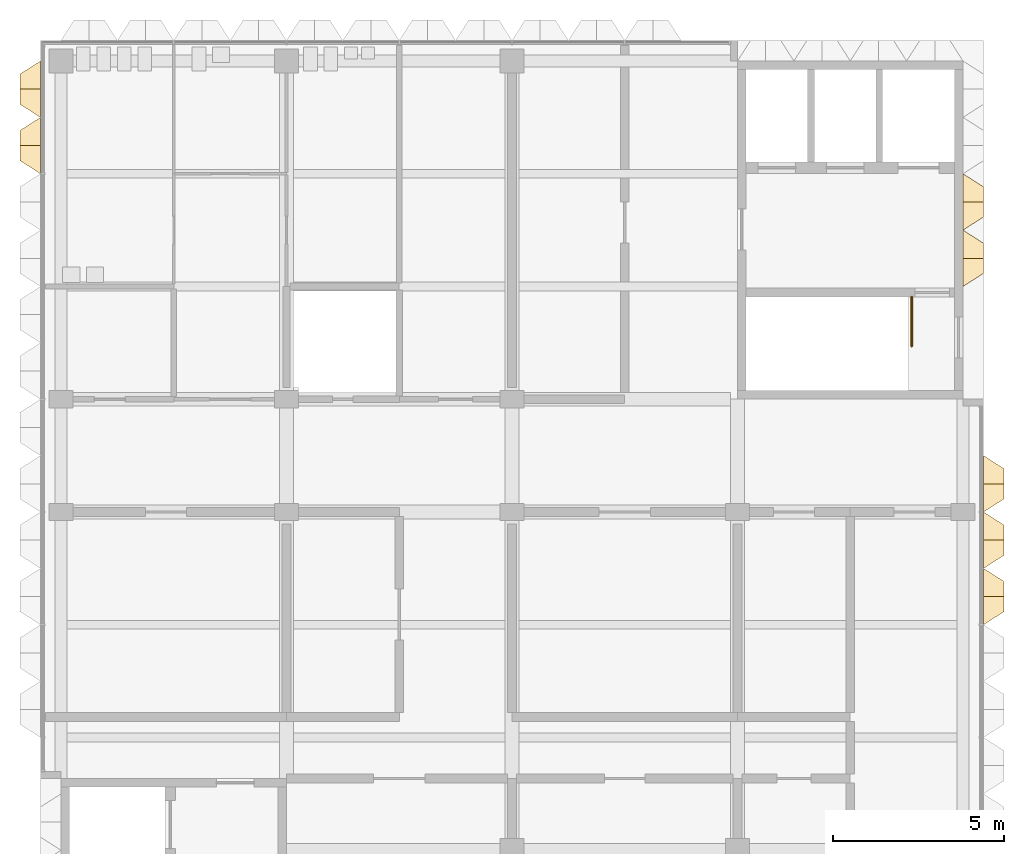
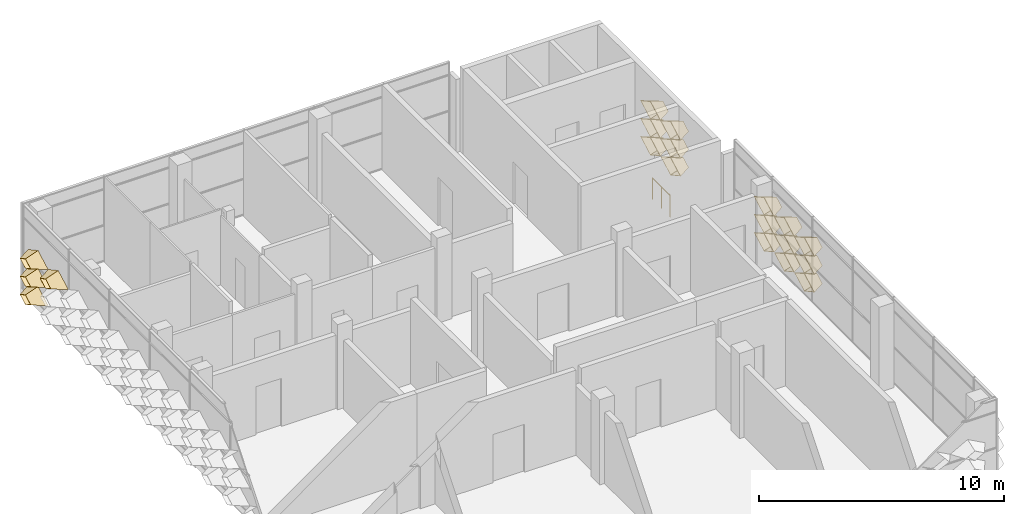
# One storey, part 17 of 21: 19 coverings, 1 railing.
"""IFC4 building model written with IfcOpenShell, lengths in metres."""

from ifc_helpers import new_model, entity, si_unit, direction, frame, origin, origin_2d, place, context, subcontext, project, spatial, circle, extrude, material, layer, layer_set, type_object, element, save


model = new_model("IFC4")

# Units and contexts
model_context = context("Model", 3, precision=1e-05, world=origin(), true_north=direction((0.0, 1.0)))
body_context = subcontext(model_context, "Body", "Model", "MODEL_VIEW")
ifc_project = project(units=[si_unit("LENGTHUNIT", "METRE"), si_unit("AREAUNIT", "SQUARE_METRE"), si_unit("VOLUMEUNIT", "CUBIC_METRE"), si_unit("PLANEANGLEUNIT", "RADIAN"), si_unit("MASSUNIT", "GRAM", prefix="KILO")], contexts=[model_context])

# Site, building, storey
site_placement = place(None, origin())
site = spatial("IfcSite", under=ifc_project, at=site_placement, CompositionType="ELEMENT")
building_placement = place(site_placement, origin())
building = spatial("IfcBuilding", under=site, at=building_placement, Name="Lantern Court Research Institute", CompositionType="ELEMENT")
storey_placement = place(building_placement, frame((0.0, 0.0, 41.39990234375)))
storey = spatial("IfcBuildingStorey", under=building, at=storey_placement, Name="L09", CompositionType="ELEMENT", Elevation=41.39990234375)

# Coverings
ifc_material_1 = material(Name="Anodised aluminium", Category="aluminium")
ifc_layer = layer(ifc_material_1, 0.01611328125)
ifc_layer_set = layer_set([ifc_layer], Name="Anodised aluminium")
covering_type = type_object("IfcCoveringType", Name="Fin cassette 1650 x 900 x 600 aluminium", PredefinedType="CLADDING", material=ifc_layer_set)
covering_1_placement = place(storey_placement, frame((79.199951171875, 17.324951171875, 0.4501953125), z_axis=(1.0, 0.0, 0.0), x_axis=(0.0, 1.0, 0.0)))
cartesian_point_1 = entity("IfcCartesianPoint", [0.824951171875, 0.0])
cartesian_point_2 = entity("IfcCartesianPoint", [0.79150390625, 0.0])
cartesian_point_3 = entity("IfcCartesianPoint", [0.44189453125, 0.0])
cartesian_point_4 = entity("IfcCartesianPoint", [0.43359375, 0.0])
element("IfcCovering", 1, at=covering_1_placement, inside=storey, type_object=covering_type, Name="Fin cassette V5E-L09 1.11", PredefinedType="CLADDING", context=body_context, shape_type="SweptSolid", body=[
    entity("IfcExtrudedAreaSolidTapered", entity("IfcArbitraryProfileDefWithVoids", "AREA", None, entity("IfcPolyline", [cartesian_point_1, entity("IfcCartesianPoint", [0.0, 0.449951171875]), entity("IfcCartesianPoint", [-0.824951171875, 0.0]), entity("IfcCartesianPoint", [0.0, -0.449951171875]), cartesian_point_1]), [entity("IfcPolyline", [cartesian_point_2, entity("IfcCartesianPoint", [0.0, 0.431884765625]), entity("IfcCartesianPoint", [-0.79150390625, 0.0]), entity("IfcCartesianPoint", [0.0, -0.431884765625]), cartesian_point_2])]), entity("IfcAxis2Placement3D", entity("IfcCartesianPoint", [0.0, 0.0, 0.0])), entity("IfcDirection", [0.0, 0.0, 1.0]), 0.60009765625, entity("IfcArbitraryProfileDefWithVoids", "AREA", None, entity("IfcPolyline", [cartesian_point_3, entity("IfcCartesianPoint", [0.0, 0.240966796875]), entity("IfcCartesianPoint", [-0.44189453125, 0.0]), entity("IfcCartesianPoint", [0.0, -0.240966796875]), cartesian_point_3]), [entity("IfcPolyline", [cartesian_point_4, entity("IfcCartesianPoint", [0.0, 0.236572265625]), entity("IfcCartesianPoint", [-0.43359375, 0.0]), entity("IfcCartesianPoint", [0.0, -0.236572265625]), cartesian_point_4])])),
])
covering_2_placement = place(storey_placement, frame((79.199951171875, 18.97509765625, 0.4501953125), z_axis=(1.0, 0.0, 0.0), x_axis=(0.0, 1.0, 0.0)))
cartesian_point_5 = entity("IfcCartesianPoint", [0.824951171875, 0.0])
cartesian_point_6 = entity("IfcCartesianPoint", [0.79150390625, 0.0])
cartesian_point_7 = entity("IfcCartesianPoint", [0.44189453125, 0.0])
cartesian_point_8 = entity("IfcCartesianPoint", [0.43359375, 0.0])
element("IfcCovering", 2, at=covering_2_placement, inside=storey, type_object=covering_type, Name="Fin cassette V5E-L09 1.12", PredefinedType="CLADDING", context=body_context, shape_type="SweptSolid", body=[
    entity("IfcExtrudedAreaSolidTapered", entity("IfcArbitraryProfileDefWithVoids", "AREA", None, entity("IfcPolyline", [cartesian_point_5, entity("IfcCartesianPoint", [0.0, 0.449951171875]), entity("IfcCartesianPoint", [-0.824951171875, 0.0]), entity("IfcCartesianPoint", [0.0, -0.449951171875]), cartesian_point_5]), [entity("IfcPolyline", [cartesian_point_6, entity("IfcCartesianPoint", [0.0, 0.431884765625]), entity("IfcCartesianPoint", [-0.79150390625, 0.0]), entity("IfcCartesianPoint", [0.0, -0.431884765625]), cartesian_point_6])]), entity("IfcAxis2Placement3D", entity("IfcCartesianPoint", [0.0, 0.0, 0.0])), entity("IfcDirection", [0.0, 0.0, 1.0]), 0.60009765625, entity("IfcArbitraryProfileDefWithVoids", "AREA", None, entity("IfcPolyline", [cartesian_point_7, entity("IfcCartesianPoint", [0.0, 0.240966796875]), entity("IfcCartesianPoint", [-0.44189453125, 0.0]), entity("IfcCartesianPoint", [0.0, -0.240966796875]), cartesian_point_7]), [entity("IfcPolyline", [cartesian_point_8, entity("IfcCartesianPoint", [0.0, 0.236572265625]), entity("IfcCartesianPoint", [-0.43359375, 0.0]), entity("IfcCartesianPoint", [0.0, -0.236572265625]), cartesian_point_8])])),
])
covering_3_placement = place(storey_placement, frame((79.199951171875, 17.324951171875, 1.35009765625), z_axis=(1.0, 0.0, 0.0), x_axis=(0.0, 1.0, 0.0)))
cartesian_point_9 = entity("IfcCartesianPoint", [0.824951171875, 0.0])
cartesian_point_10 = entity("IfcCartesianPoint", [0.79150390625, 0.0])
cartesian_point_11 = entity("IfcCartesianPoint", [0.44189453125, 0.0])
cartesian_point_12 = entity("IfcCartesianPoint", [0.43359375, 0.0])
element("IfcCovering", 3, at=covering_3_placement, inside=storey, type_object=covering_type, Name="Fin cassette V5E-L09 2.11", PredefinedType="CLADDING", context=body_context, shape_type="SweptSolid", body=[
    entity("IfcExtrudedAreaSolidTapered", entity("IfcArbitraryProfileDefWithVoids", "AREA", None, entity("IfcPolyline", [cartesian_point_9, entity("IfcCartesianPoint", [0.0, 0.449951171875]), entity("IfcCartesianPoint", [-0.824951171875, 0.0]), entity("IfcCartesianPoint", [0.0, -0.449951171875]), cartesian_point_9]), [entity("IfcPolyline", [cartesian_point_10, entity("IfcCartesianPoint", [0.0, 0.431884765625]), entity("IfcCartesianPoint", [-0.79150390625, 0.0]), entity("IfcCartesianPoint", [0.0, -0.431884765625]), cartesian_point_10])]), entity("IfcAxis2Placement3D", entity("IfcCartesianPoint", [0.0, 0.0, 0.0])), entity("IfcDirection", [0.0, 0.0, 1.0]), 0.60009765625, entity("IfcArbitraryProfileDefWithVoids", "AREA", None, entity("IfcPolyline", [cartesian_point_11, entity("IfcCartesianPoint", [0.0, 0.240966796875]), entity("IfcCartesianPoint", [-0.44189453125, 0.0]), entity("IfcCartesianPoint", [0.0, -0.240966796875]), cartesian_point_11]), [entity("IfcPolyline", [cartesian_point_12, entity("IfcCartesianPoint", [0.0, 0.236572265625]), entity("IfcCartesianPoint", [-0.43359375, 0.0]), entity("IfcCartesianPoint", [0.0, -0.236572265625]), cartesian_point_12])])),
])
covering_4_placement = place(storey_placement, frame((79.199951171875, 18.97509765625, 1.35009765625), z_axis=(1.0, 0.0, 0.0), x_axis=(0.0, 1.0, 0.0)))
cartesian_point_13 = entity("IfcCartesianPoint", [0.824951171875, 0.0])
cartesian_point_14 = entity("IfcCartesianPoint", [0.79150390625, 0.0])
cartesian_point_15 = entity("IfcCartesianPoint", [0.44189453125, 0.0])
cartesian_point_16 = entity("IfcCartesianPoint", [0.43359375, 0.0])
element("IfcCovering", 4, at=covering_4_placement, inside=storey, type_object=covering_type, Name="Fin cassette V5E-L09 2.12", PredefinedType="CLADDING", context=body_context, shape_type="SweptSolid", body=[
    entity("IfcExtrudedAreaSolidTapered", entity("IfcArbitraryProfileDefWithVoids", "AREA", None, entity("IfcPolyline", [cartesian_point_13, entity("IfcCartesianPoint", [0.0, 0.449951171875]), entity("IfcCartesianPoint", [-0.824951171875, 0.0]), entity("IfcCartesianPoint", [0.0, -0.449951171875]), cartesian_point_13]), [entity("IfcPolyline", [cartesian_point_14, entity("IfcCartesianPoint", [0.0, 0.431884765625]), entity("IfcCartesianPoint", [-0.79150390625, 0.0]), entity("IfcCartesianPoint", [0.0, -0.431884765625]), cartesian_point_14])]), entity("IfcAxis2Placement3D", entity("IfcCartesianPoint", [0.0, 0.0, 0.0])), entity("IfcDirection", [0.0, 0.0, 1.0]), 0.60009765625, entity("IfcArbitraryProfileDefWithVoids", "AREA", None, entity("IfcPolyline", [cartesian_point_15, entity("IfcCartesianPoint", [0.0, 0.240966796875]), entity("IfcCartesianPoint", [-0.44189453125, 0.0]), entity("IfcCartesianPoint", [0.0, -0.240966796875]), cartesian_point_15]), [entity("IfcPolyline", [cartesian_point_16, entity("IfcCartesianPoint", [0.0, 0.236572265625]), entity("IfcCartesianPoint", [-0.43359375, 0.0]), entity("IfcCartesianPoint", [0.0, -0.236572265625]), cartesian_point_16])])),
])
covering_5_placement = place(storey_placement, frame((79.199951171875, 17.324951171875, 2.25), z_axis=(1.0, 0.0, 0.0), x_axis=(0.0, 1.0, 0.0)))
cartesian_point_17 = entity("IfcCartesianPoint", [0.824951171875, 0.0])
cartesian_point_18 = entity("IfcCartesianPoint", [0.79150390625, 0.0])
cartesian_point_19 = entity("IfcCartesianPoint", [0.44189453125, 0.0])
cartesian_point_20 = entity("IfcCartesianPoint", [0.43359375, 0.0])
element("IfcCovering", 5, at=covering_5_placement, inside=storey, type_object=covering_type, Name="Fin cassette V5E-L09 3.11", PredefinedType="CLADDING", context=body_context, shape_type="SweptSolid", body=[
    entity("IfcExtrudedAreaSolidTapered", entity("IfcArbitraryProfileDefWithVoids", "AREA", None, entity("IfcPolyline", [cartesian_point_17, entity("IfcCartesianPoint", [0.0, 0.449951171875]), entity("IfcCartesianPoint", [-0.824951171875, 0.0]), entity("IfcCartesianPoint", [0.0, -0.449951171875]), cartesian_point_17]), [entity("IfcPolyline", [cartesian_point_18, entity("IfcCartesianPoint", [0.0, 0.431884765625]), entity("IfcCartesianPoint", [-0.79150390625, 0.0]), entity("IfcCartesianPoint", [0.0, -0.431884765625]), cartesian_point_18])]), entity("IfcAxis2Placement3D", entity("IfcCartesianPoint", [0.0, 0.0, 0.0])), entity("IfcDirection", [0.0, 0.0, 1.0]), 0.60009765625, entity("IfcArbitraryProfileDefWithVoids", "AREA", None, entity("IfcPolyline", [cartesian_point_19, entity("IfcCartesianPoint", [0.0, 0.240966796875]), entity("IfcCartesianPoint", [-0.44189453125, 0.0]), entity("IfcCartesianPoint", [0.0, -0.240966796875]), cartesian_point_19]), [entity("IfcPolyline", [cartesian_point_20, entity("IfcCartesianPoint", [0.0, 0.236572265625]), entity("IfcCartesianPoint", [-0.43359375, 0.0]), entity("IfcCartesianPoint", [0.0, -0.236572265625]), cartesian_point_20])])),
])
covering_6_placement = place(storey_placement, frame((79.199951171875, 18.97509765625, 2.25), z_axis=(1.0, 0.0, 0.0), x_axis=(0.0, 1.0, 0.0)))
cartesian_point_21 = entity("IfcCartesianPoint", [0.824951171875, 0.0])
cartesian_point_22 = entity("IfcCartesianPoint", [0.79150390625, 0.0])
cartesian_point_23 = entity("IfcCartesianPoint", [0.44189453125, 0.0])
cartesian_point_24 = entity("IfcCartesianPoint", [0.43359375, 0.0])
element("IfcCovering", 6, at=covering_6_placement, inside=storey, type_object=covering_type, Name="Fin cassette V5E-L09 3.12", PredefinedType="CLADDING", context=body_context, shape_type="SweptSolid", body=[
    entity("IfcExtrudedAreaSolidTapered", entity("IfcArbitraryProfileDefWithVoids", "AREA", None, entity("IfcPolyline", [cartesian_point_21, entity("IfcCartesianPoint", [0.0, 0.449951171875]), entity("IfcCartesianPoint", [-0.824951171875, 0.0]), entity("IfcCartesianPoint", [0.0, -0.449951171875]), cartesian_point_21]), [entity("IfcPolyline", [cartesian_point_22, entity("IfcCartesianPoint", [0.0, 0.431884765625]), entity("IfcCartesianPoint", [-0.79150390625, 0.0]), entity("IfcCartesianPoint", [0.0, -0.431884765625]), cartesian_point_22])]), entity("IfcAxis2Placement3D", entity("IfcCartesianPoint", [0.0, 0.0, 0.0])), entity("IfcDirection", [0.0, 0.0, 1.0]), 0.60009765625, entity("IfcArbitraryProfileDefWithVoids", "AREA", None, entity("IfcPolyline", [cartesian_point_23, entity("IfcCartesianPoint", [0.0, 0.240966796875]), entity("IfcCartesianPoint", [-0.44189453125, 0.0]), entity("IfcCartesianPoint", [0.0, -0.240966796875]), cartesian_point_23]), [entity("IfcPolyline", [cartesian_point_24, entity("IfcCartesianPoint", [0.0, 0.236572265625]), entity("IfcCartesianPoint", [-0.43359375, 0.0]), entity("IfcCartesianPoint", [0.0, -0.236572265625]), cartesian_point_24])])),
])
covering_7_placement = place(storey_placement, frame((79.800048828125, 7.425048828125, 0.4501953125), z_axis=(1.0, 0.0, 0.0), x_axis=(0.0, 1.0, 0.0)))
cartesian_point_25 = entity("IfcCartesianPoint", [0.824951171875, 0.0])
cartesian_point_26 = entity("IfcCartesianPoint", [0.79150390625, 0.0])
cartesian_point_27 = entity("IfcCartesianPoint", [0.44189453125, 0.0])
cartesian_point_28 = entity("IfcCartesianPoint", [0.43359375, 0.0])
element("IfcCovering", 7, at=covering_7_placement, inside=storey, type_object=covering_type, Name="Fin cassette V5E-L09 1.5", PredefinedType="CLADDING", context=body_context, shape_type="SweptSolid", body=[
    entity("IfcExtrudedAreaSolidTapered", entity("IfcArbitraryProfileDefWithVoids", "AREA", None, entity("IfcPolyline", [cartesian_point_25, entity("IfcCartesianPoint", [0.0, 0.449951171875]), entity("IfcCartesianPoint", [-0.824951171875, 0.0]), entity("IfcCartesianPoint", [0.0, -0.449951171875]), cartesian_point_25]), [entity("IfcPolyline", [cartesian_point_26, entity("IfcCartesianPoint", [0.0, 0.431884765625]), entity("IfcCartesianPoint", [-0.79150390625, 0.0]), entity("IfcCartesianPoint", [0.0, -0.431884765625]), cartesian_point_26])]), entity("IfcAxis2Placement3D", entity("IfcCartesianPoint", [0.0, 0.0, 0.0])), entity("IfcDirection", [0.0, 0.0, 1.0]), 0.60009765625, entity("IfcArbitraryProfileDefWithVoids", "AREA", None, entity("IfcPolyline", [cartesian_point_27, entity("IfcCartesianPoint", [0.0, 0.240966796875]), entity("IfcCartesianPoint", [-0.44189453125, 0.0]), entity("IfcCartesianPoint", [0.0, -0.240966796875]), cartesian_point_27]), [entity("IfcPolyline", [cartesian_point_28, entity("IfcCartesianPoint", [0.0, 0.236572265625]), entity("IfcCartesianPoint", [-0.43359375, 0.0]), entity("IfcCartesianPoint", [0.0, -0.236572265625]), cartesian_point_28])])),
])
covering_8_placement = place(storey_placement, frame((79.800048828125, 9.074951171875, 0.4501953125), z_axis=(1.0, 0.0, 0.0), x_axis=(0.0, 1.0, 0.0)))
cartesian_point_29 = entity("IfcCartesianPoint", [0.824951171875, 0.0])
cartesian_point_30 = entity("IfcCartesianPoint", [0.79150390625, 0.0])
cartesian_point_31 = entity("IfcCartesianPoint", [0.44189453125, 0.0])
cartesian_point_32 = entity("IfcCartesianPoint", [0.43359375, 0.0])
element("IfcCovering", 8, at=covering_8_placement, inside=storey, type_object=covering_type, Name="Fin cassette V5E-L09 1.6", PredefinedType="CLADDING", context=body_context, shape_type="SweptSolid", body=[
    entity("IfcExtrudedAreaSolidTapered", entity("IfcArbitraryProfileDefWithVoids", "AREA", None, entity("IfcPolyline", [cartesian_point_29, entity("IfcCartesianPoint", [0.0, 0.449951171875]), entity("IfcCartesianPoint", [-0.824951171875, 0.0]), entity("IfcCartesianPoint", [0.0, -0.449951171875]), cartesian_point_29]), [entity("IfcPolyline", [cartesian_point_30, entity("IfcCartesianPoint", [0.0, 0.431884765625]), entity("IfcCartesianPoint", [-0.79150390625, 0.0]), entity("IfcCartesianPoint", [0.0, -0.431884765625]), cartesian_point_30])]), entity("IfcAxis2Placement3D", entity("IfcCartesianPoint", [0.0, 0.0, 0.0])), entity("IfcDirection", [0.0, 0.0, 1.0]), 0.60009765625, entity("IfcArbitraryProfileDefWithVoids", "AREA", None, entity("IfcPolyline", [cartesian_point_31, entity("IfcCartesianPoint", [0.0, 0.240966796875]), entity("IfcCartesianPoint", [-0.44189453125, 0.0]), entity("IfcCartesianPoint", [0.0, -0.240966796875]), cartesian_point_31]), [entity("IfcPolyline", [cartesian_point_32, entity("IfcCartesianPoint", [0.0, 0.236572265625]), entity("IfcCartesianPoint", [-0.43359375, 0.0]), entity("IfcCartesianPoint", [0.0, -0.236572265625]), cartesian_point_32])])),
])
covering_9_placement = place(storey_placement, frame((79.800048828125, 10.72509765625, 0.4501953125), z_axis=(1.0, 0.0, 0.0), x_axis=(0.0, 1.0, 0.0)))
cartesian_point_33 = entity("IfcCartesianPoint", [0.824951171875, 0.0])
cartesian_point_34 = entity("IfcCartesianPoint", [0.79150390625, 0.0])
cartesian_point_35 = entity("IfcCartesianPoint", [0.44189453125, 0.0])
cartesian_point_36 = entity("IfcCartesianPoint", [0.43359375, 0.0])
element("IfcCovering", 9, at=covering_9_placement, inside=storey, type_object=covering_type, Name="Fin cassette V5E-L09 1.7", PredefinedType="CLADDING", context=body_context, shape_type="SweptSolid", body=[
    entity("IfcExtrudedAreaSolidTapered", entity("IfcArbitraryProfileDefWithVoids", "AREA", None, entity("IfcPolyline", [cartesian_point_33, entity("IfcCartesianPoint", [0.0, 0.449951171875]), entity("IfcCartesianPoint", [-0.824951171875, 0.0]), entity("IfcCartesianPoint", [0.0, -0.449951171875]), cartesian_point_33]), [entity("IfcPolyline", [cartesian_point_34, entity("IfcCartesianPoint", [0.0, 0.431884765625]), entity("IfcCartesianPoint", [-0.79150390625, 0.0]), entity("IfcCartesianPoint", [0.0, -0.431884765625]), cartesian_point_34])]), entity("IfcAxis2Placement3D", entity("IfcCartesianPoint", [0.0, 0.0, 0.0])), entity("IfcDirection", [0.0, 0.0, 1.0]), 0.60009765625, entity("IfcArbitraryProfileDefWithVoids", "AREA", None, entity("IfcPolyline", [cartesian_point_35, entity("IfcCartesianPoint", [0.0, 0.240966796875]), entity("IfcCartesianPoint", [-0.44189453125, 0.0]), entity("IfcCartesianPoint", [0.0, -0.240966796875]), cartesian_point_35]), [entity("IfcPolyline", [cartesian_point_36, entity("IfcCartesianPoint", [0.0, 0.236572265625]), entity("IfcCartesianPoint", [-0.43359375, 0.0]), entity("IfcCartesianPoint", [0.0, -0.236572265625]), cartesian_point_36])])),
])
covering_10_placement = place(storey_placement, frame((79.800048828125, 7.425048828125, 1.35009765625), z_axis=(1.0, 0.0, 0.0), x_axis=(0.0, 1.0, 0.0)))
cartesian_point_37 = entity("IfcCartesianPoint", [0.824951171875, 0.0])
cartesian_point_38 = entity("IfcCartesianPoint", [0.79150390625, 0.0])
cartesian_point_39 = entity("IfcCartesianPoint", [0.44189453125, 0.0])
cartesian_point_40 = entity("IfcCartesianPoint", [0.43359375, 0.0])
element("IfcCovering", 10, at=covering_10_placement, inside=storey, type_object=covering_type, Name="Fin cassette V5E-L09 2.5", PredefinedType="CLADDING", context=body_context, shape_type="SweptSolid", body=[
    entity("IfcExtrudedAreaSolidTapered", entity("IfcArbitraryProfileDefWithVoids", "AREA", None, entity("IfcPolyline", [cartesian_point_37, entity("IfcCartesianPoint", [0.0, 0.449951171875]), entity("IfcCartesianPoint", [-0.824951171875, 0.0]), entity("IfcCartesianPoint", [0.0, -0.449951171875]), cartesian_point_37]), [entity("IfcPolyline", [cartesian_point_38, entity("IfcCartesianPoint", [0.0, 0.431884765625]), entity("IfcCartesianPoint", [-0.79150390625, 0.0]), entity("IfcCartesianPoint", [0.0, -0.431884765625]), cartesian_point_38])]), entity("IfcAxis2Placement3D", entity("IfcCartesianPoint", [0.0, 0.0, 0.0])), entity("IfcDirection", [0.0, 0.0, 1.0]), 0.60009765625, entity("IfcArbitraryProfileDefWithVoids", "AREA", None, entity("IfcPolyline", [cartesian_point_39, entity("IfcCartesianPoint", [0.0, 0.240966796875]), entity("IfcCartesianPoint", [-0.44189453125, 0.0]), entity("IfcCartesianPoint", [0.0, -0.240966796875]), cartesian_point_39]), [entity("IfcPolyline", [cartesian_point_40, entity("IfcCartesianPoint", [0.0, 0.236572265625]), entity("IfcCartesianPoint", [-0.43359375, 0.0]), entity("IfcCartesianPoint", [0.0, -0.236572265625]), cartesian_point_40])])),
])
covering_11_placement = place(storey_placement, frame((79.800048828125, 9.074951171875, 1.35009765625), z_axis=(1.0, 0.0, 0.0), x_axis=(0.0, 1.0, 0.0)))
cartesian_point_41 = entity("IfcCartesianPoint", [0.824951171875, 0.0])
cartesian_point_42 = entity("IfcCartesianPoint", [0.79150390625, 0.0])
cartesian_point_43 = entity("IfcCartesianPoint", [0.44189453125, 0.0])
cartesian_point_44 = entity("IfcCartesianPoint", [0.43359375, 0.0])
element("IfcCovering", 11, at=covering_11_placement, inside=storey, type_object=covering_type, Name="Fin cassette V5E-L09 2.6", PredefinedType="CLADDING", context=body_context, shape_type="SweptSolid", body=[
    entity("IfcExtrudedAreaSolidTapered", entity("IfcArbitraryProfileDefWithVoids", "AREA", None, entity("IfcPolyline", [cartesian_point_41, entity("IfcCartesianPoint", [0.0, 0.449951171875]), entity("IfcCartesianPoint", [-0.824951171875, 0.0]), entity("IfcCartesianPoint", [0.0, -0.449951171875]), cartesian_point_41]), [entity("IfcPolyline", [cartesian_point_42, entity("IfcCartesianPoint", [0.0, 0.431884765625]), entity("IfcCartesianPoint", [-0.79150390625, 0.0]), entity("IfcCartesianPoint", [0.0, -0.431884765625]), cartesian_point_42])]), entity("IfcAxis2Placement3D", entity("IfcCartesianPoint", [0.0, 0.0, 0.0])), entity("IfcDirection", [0.0, 0.0, 1.0]), 0.60009765625, entity("IfcArbitraryProfileDefWithVoids", "AREA", None, entity("IfcPolyline", [cartesian_point_43, entity("IfcCartesianPoint", [0.0, 0.240966796875]), entity("IfcCartesianPoint", [-0.44189453125, 0.0]), entity("IfcCartesianPoint", [0.0, -0.240966796875]), cartesian_point_43]), [entity("IfcPolyline", [cartesian_point_44, entity("IfcCartesianPoint", [0.0, 0.236572265625]), entity("IfcCartesianPoint", [-0.43359375, 0.0]), entity("IfcCartesianPoint", [0.0, -0.236572265625]), cartesian_point_44])])),
])
covering_12_placement = place(storey_placement, frame((79.800048828125, 10.72509765625, 1.35009765625), z_axis=(1.0, 0.0, 0.0), x_axis=(0.0, 1.0, 0.0)))
cartesian_point_45 = entity("IfcCartesianPoint", [0.824951171875, 0.0])
cartesian_point_46 = entity("IfcCartesianPoint", [0.79150390625, 0.0])
cartesian_point_47 = entity("IfcCartesianPoint", [0.44189453125, 0.0])
cartesian_point_48 = entity("IfcCartesianPoint", [0.43359375, 0.0])
element("IfcCovering", 12, at=covering_12_placement, inside=storey, type_object=covering_type, Name="Fin cassette V5E-L09 2.7", PredefinedType="CLADDING", context=body_context, shape_type="SweptSolid", body=[
    entity("IfcExtrudedAreaSolidTapered", entity("IfcArbitraryProfileDefWithVoids", "AREA", None, entity("IfcPolyline", [cartesian_point_45, entity("IfcCartesianPoint", [0.0, 0.449951171875]), entity("IfcCartesianPoint", [-0.824951171875, 0.0]), entity("IfcCartesianPoint", [0.0, -0.449951171875]), cartesian_point_45]), [entity("IfcPolyline", [cartesian_point_46, entity("IfcCartesianPoint", [0.0, 0.431884765625]), entity("IfcCartesianPoint", [-0.79150390625, 0.0]), entity("IfcCartesianPoint", [0.0, -0.431884765625]), cartesian_point_46])]), entity("IfcAxis2Placement3D", entity("IfcCartesianPoint", [0.0, 0.0, 0.0])), entity("IfcDirection", [0.0, 0.0, 1.0]), 0.60009765625, entity("IfcArbitraryProfileDefWithVoids", "AREA", None, entity("IfcPolyline", [cartesian_point_47, entity("IfcCartesianPoint", [0.0, 0.240966796875]), entity("IfcCartesianPoint", [-0.44189453125, 0.0]), entity("IfcCartesianPoint", [0.0, -0.240966796875]), cartesian_point_47]), [entity("IfcPolyline", [cartesian_point_48, entity("IfcCartesianPoint", [0.0, 0.236572265625]), entity("IfcCartesianPoint", [-0.43359375, 0.0]), entity("IfcCartesianPoint", [0.0, -0.236572265625]), cartesian_point_48])])),
])
covering_13_placement = place(storey_placement, frame((79.800048828125, 7.425048828125, 2.25), z_axis=(1.0, 0.0, 0.0), x_axis=(0.0, 1.0, 0.0)))
cartesian_point_49 = entity("IfcCartesianPoint", [0.824951171875, 0.0])
cartesian_point_50 = entity("IfcCartesianPoint", [0.79150390625, 0.0])
cartesian_point_51 = entity("IfcCartesianPoint", [0.44189453125, 0.0])
cartesian_point_52 = entity("IfcCartesianPoint", [0.43359375, 0.0])
element("IfcCovering", 13, at=covering_13_placement, inside=storey, type_object=covering_type, Name="Fin cassette V5E-L09 3.5", PredefinedType="CLADDING", context=body_context, shape_type="SweptSolid", body=[
    entity("IfcExtrudedAreaSolidTapered", entity("IfcArbitraryProfileDefWithVoids", "AREA", None, entity("IfcPolyline", [cartesian_point_49, entity("IfcCartesianPoint", [0.0, 0.449951171875]), entity("IfcCartesianPoint", [-0.824951171875, 0.0]), entity("IfcCartesianPoint", [0.0, -0.449951171875]), cartesian_point_49]), [entity("IfcPolyline", [cartesian_point_50, entity("IfcCartesianPoint", [0.0, 0.431884765625]), entity("IfcCartesianPoint", [-0.79150390625, 0.0]), entity("IfcCartesianPoint", [0.0, -0.431884765625]), cartesian_point_50])]), entity("IfcAxis2Placement3D", entity("IfcCartesianPoint", [0.0, 0.0, 0.0])), entity("IfcDirection", [0.0, 0.0, 1.0]), 0.60009765625, entity("IfcArbitraryProfileDefWithVoids", "AREA", None, entity("IfcPolyline", [cartesian_point_51, entity("IfcCartesianPoint", [0.0, 0.240966796875]), entity("IfcCartesianPoint", [-0.44189453125, 0.0]), entity("IfcCartesianPoint", [0.0, -0.240966796875]), cartesian_point_51]), [entity("IfcPolyline", [cartesian_point_52, entity("IfcCartesianPoint", [0.0, 0.236572265625]), entity("IfcCartesianPoint", [-0.43359375, 0.0]), entity("IfcCartesianPoint", [0.0, -0.236572265625]), cartesian_point_52])])),
])
covering_14_placement = place(storey_placement, frame((79.800048828125, 9.074951171875, 2.25), z_axis=(1.0, 0.0, 0.0), x_axis=(0.0, 1.0, 0.0)))
cartesian_point_53 = entity("IfcCartesianPoint", [0.824951171875, 0.0])
cartesian_point_54 = entity("IfcCartesianPoint", [0.79150390625, 0.0])
cartesian_point_55 = entity("IfcCartesianPoint", [0.44189453125, 0.0])
cartesian_point_56 = entity("IfcCartesianPoint", [0.43359375, 0.0])
element("IfcCovering", 14, at=covering_14_placement, inside=storey, type_object=covering_type, Name="Fin cassette V5E-L09 3.6", PredefinedType="CLADDING", context=body_context, shape_type="SweptSolid", body=[
    entity("IfcExtrudedAreaSolidTapered", entity("IfcArbitraryProfileDefWithVoids", "AREA", None, entity("IfcPolyline", [cartesian_point_53, entity("IfcCartesianPoint", [0.0, 0.449951171875]), entity("IfcCartesianPoint", [-0.824951171875, 0.0]), entity("IfcCartesianPoint", [0.0, -0.449951171875]), cartesian_point_53]), [entity("IfcPolyline", [cartesian_point_54, entity("IfcCartesianPoint", [0.0, 0.431884765625]), entity("IfcCartesianPoint", [-0.79150390625, 0.0]), entity("IfcCartesianPoint", [0.0, -0.431884765625]), cartesian_point_54])]), entity("IfcAxis2Placement3D", entity("IfcCartesianPoint", [0.0, 0.0, 0.0])), entity("IfcDirection", [0.0, 0.0, 1.0]), 0.60009765625, entity("IfcArbitraryProfileDefWithVoids", "AREA", None, entity("IfcPolyline", [cartesian_point_55, entity("IfcCartesianPoint", [0.0, 0.240966796875]), entity("IfcCartesianPoint", [-0.44189453125, 0.0]), entity("IfcCartesianPoint", [0.0, -0.240966796875]), cartesian_point_55]), [entity("IfcPolyline", [cartesian_point_56, entity("IfcCartesianPoint", [0.0, 0.236572265625]), entity("IfcCartesianPoint", [-0.43359375, 0.0]), entity("IfcCartesianPoint", [0.0, -0.236572265625]), cartesian_point_56])])),
])
covering_15_placement = place(storey_placement, frame((79.800048828125, 10.72509765625, 2.25), z_axis=(1.0, 0.0, 0.0), x_axis=(0.0, 1.0, 0.0)))
cartesian_point_57 = entity("IfcCartesianPoint", [0.824951171875, 0.0])
cartesian_point_58 = entity("IfcCartesianPoint", [0.79150390625, 0.0])
cartesian_point_59 = entity("IfcCartesianPoint", [0.44189453125, 0.0])
cartesian_point_60 = entity("IfcCartesianPoint", [0.43359375, 0.0])
element("IfcCovering", 15, at=covering_15_placement, inside=storey, type_object=covering_type, Name="Fin cassette V5E-L09 3.7", PredefinedType="CLADDING", context=body_context, shape_type="SweptSolid", body=[
    entity("IfcExtrudedAreaSolidTapered", entity("IfcArbitraryProfileDefWithVoids", "AREA", None, entity("IfcPolyline", [cartesian_point_57, entity("IfcCartesianPoint", [0.0, 0.449951171875]), entity("IfcCartesianPoint", [-0.824951171875, 0.0]), entity("IfcCartesianPoint", [0.0, -0.449951171875]), cartesian_point_57]), [entity("IfcPolyline", [cartesian_point_58, entity("IfcCartesianPoint", [0.0, 0.431884765625]), entity("IfcCartesianPoint", [-0.79150390625, 0.0]), entity("IfcCartesianPoint", [0.0, -0.431884765625]), cartesian_point_58])]), entity("IfcAxis2Placement3D", entity("IfcCartesianPoint", [0.0, 0.0, 0.0])), entity("IfcDirection", [0.0, 0.0, 1.0]), 0.60009765625, entity("IfcArbitraryProfileDefWithVoids", "AREA", None, entity("IfcPolyline", [cartesian_point_59, entity("IfcCartesianPoint", [0.0, 0.240966796875]), entity("IfcCartesianPoint", [-0.44189453125, 0.0]), entity("IfcCartesianPoint", [0.0, -0.240966796875]), cartesian_point_59]), [entity("IfcPolyline", [cartesian_point_60, entity("IfcCartesianPoint", [0.0, 0.236572265625]), entity("IfcCartesianPoint", [-0.43359375, 0.0]), entity("IfcCartesianPoint", [0.0, -0.236572265625]), cartesian_point_60])])),
])
covering_16_placement = place(storey_placement, frame((52.199951171875, 22.27490234375, 0.4501953125), z_axis=(-1.0, 0.0, 0.0), x_axis=(0.0, -1.0, 0.0)))
cartesian_point_61 = entity("IfcCartesianPoint", [0.824951171875, 0.0])
cartesian_point_62 = entity("IfcCartesianPoint", [0.79150390625, 0.0])
cartesian_point_63 = entity("IfcCartesianPoint", [0.44189453125, 0.0])
cartesian_point_64 = entity("IfcCartesianPoint", [0.43359375, 0.0])
element("IfcCovering", 16, at=covering_16_placement, inside=storey, type_object=covering_type, Name="Fin cassette V5W-L09 1.14", PredefinedType="CLADDING", context=body_context, shape_type="SweptSolid", body=[
    entity("IfcExtrudedAreaSolidTapered", entity("IfcArbitraryProfileDefWithVoids", "AREA", None, entity("IfcPolyline", [cartesian_point_61, entity("IfcCartesianPoint", [0.0, 0.449951171875]), entity("IfcCartesianPoint", [-0.824951171875, 0.0]), entity("IfcCartesianPoint", [0.0, -0.449951171875]), cartesian_point_61]), [entity("IfcPolyline", [cartesian_point_62, entity("IfcCartesianPoint", [0.0, 0.431884765625]), entity("IfcCartesianPoint", [-0.79150390625, 0.0]), entity("IfcCartesianPoint", [0.0, -0.431884765625]), cartesian_point_62])]), entity("IfcAxis2Placement3D", entity("IfcCartesianPoint", [0.0, 0.0, 0.0])), entity("IfcDirection", [0.0, 0.0, 1.0]), 0.60009765625, entity("IfcArbitraryProfileDefWithVoids", "AREA", None, entity("IfcPolyline", [cartesian_point_63, entity("IfcCartesianPoint", [0.0, 0.240966796875]), entity("IfcCartesianPoint", [-0.44189453125, 0.0]), entity("IfcCartesianPoint", [0.0, -0.240966796875]), cartesian_point_63]), [entity("IfcPolyline", [cartesian_point_64, entity("IfcCartesianPoint", [0.0, 0.236572265625]), entity("IfcCartesianPoint", [-0.43359375, 0.0]), entity("IfcCartesianPoint", [0.0, -0.236572265625]), cartesian_point_64])])),
])
covering_17_placement = place(storey_placement, frame((52.199951171875, 22.27490234375, 1.35009765625), z_axis=(-1.0, 0.0, 0.0), x_axis=(0.0, -1.0, 0.0)))
cartesian_point_65 = entity("IfcCartesianPoint", [0.824951171875, 0.0])
cartesian_point_66 = entity("IfcCartesianPoint", [0.79150390625, 0.0])
cartesian_point_67 = entity("IfcCartesianPoint", [0.44189453125, 0.0])
cartesian_point_68 = entity("IfcCartesianPoint", [0.43359375, 0.0])
element("IfcCovering", 17, at=covering_17_placement, inside=storey, type_object=covering_type, Name="Fin cassette V5W-L09 2.14", PredefinedType="CLADDING", context=body_context, shape_type="SweptSolid", body=[
    entity("IfcExtrudedAreaSolidTapered", entity("IfcArbitraryProfileDefWithVoids", "AREA", None, entity("IfcPolyline", [cartesian_point_65, entity("IfcCartesianPoint", [0.0, 0.449951171875]), entity("IfcCartesianPoint", [-0.824951171875, 0.0]), entity("IfcCartesianPoint", [0.0, -0.449951171875]), cartesian_point_65]), [entity("IfcPolyline", [cartesian_point_66, entity("IfcCartesianPoint", [0.0, 0.431884765625]), entity("IfcCartesianPoint", [-0.79150390625, 0.0]), entity("IfcCartesianPoint", [0.0, -0.431884765625]), cartesian_point_66])]), entity("IfcAxis2Placement3D", entity("IfcCartesianPoint", [0.0, 0.0, 0.0])), entity("IfcDirection", [0.0, 0.0, 1.0]), 0.60009765625, entity("IfcArbitraryProfileDefWithVoids", "AREA", None, entity("IfcPolyline", [cartesian_point_67, entity("IfcCartesianPoint", [0.0, 0.240966796875]), entity("IfcCartesianPoint", [-0.44189453125, 0.0]), entity("IfcCartesianPoint", [0.0, -0.240966796875]), cartesian_point_67]), [entity("IfcPolyline", [cartesian_point_68, entity("IfcCartesianPoint", [0.0, 0.236572265625]), entity("IfcCartesianPoint", [-0.43359375, 0.0]), entity("IfcCartesianPoint", [0.0, -0.236572265625]), cartesian_point_68])])),
])
covering_18_placement = place(storey_placement, frame((52.199951171875, 20.625, 2.25), z_axis=(-1.0, 0.0, 0.0), x_axis=(0.0, -1.0, 0.0)))
cartesian_point_69 = entity("IfcCartesianPoint", [0.824951171875, 0.0])
cartesian_point_70 = entity("IfcCartesianPoint", [0.79150390625, 0.0])
cartesian_point_71 = entity("IfcCartesianPoint", [0.44189453125, 0.0])
cartesian_point_72 = entity("IfcCartesianPoint", [0.43359375, 0.0])
element("IfcCovering", 18, at=covering_18_placement, inside=storey, type_object=covering_type, Name="Fin cassette V5W-L09 3.13", PredefinedType="CLADDING", context=body_context, shape_type="SweptSolid", body=[
    entity("IfcExtrudedAreaSolidTapered", entity("IfcArbitraryProfileDefWithVoids", "AREA", None, entity("IfcPolyline", [cartesian_point_69, entity("IfcCartesianPoint", [0.0, 0.449951171875]), entity("IfcCartesianPoint", [-0.824951171875, 0.0]), entity("IfcCartesianPoint", [0.0, -0.449951171875]), cartesian_point_69]), [entity("IfcPolyline", [cartesian_point_70, entity("IfcCartesianPoint", [0.0, 0.431884765625]), entity("IfcCartesianPoint", [-0.79150390625, 0.0]), entity("IfcCartesianPoint", [0.0, -0.431884765625]), cartesian_point_70])]), entity("IfcAxis2Placement3D", entity("IfcCartesianPoint", [0.0, 0.0, 0.0])), entity("IfcDirection", [0.0, 0.0, 1.0]), 0.60009765625, entity("IfcArbitraryProfileDefWithVoids", "AREA", None, entity("IfcPolyline", [cartesian_point_71, entity("IfcCartesianPoint", [0.0, 0.240966796875]), entity("IfcCartesianPoint", [-0.44189453125, 0.0]), entity("IfcCartesianPoint", [0.0, -0.240966796875]), cartesian_point_71]), [entity("IfcPolyline", [cartesian_point_72, entity("IfcCartesianPoint", [0.0, 0.236572265625]), entity("IfcCartesianPoint", [-0.43359375, 0.0]), entity("IfcCartesianPoint", [0.0, -0.236572265625]), cartesian_point_72])])),
])
covering_19_placement = place(storey_placement, frame((52.199951171875, 22.27490234375, 2.25), z_axis=(-1.0, 0.0, 0.0), x_axis=(0.0, -1.0, 0.0)))
cartesian_point_73 = entity("IfcCartesianPoint", [0.824951171875, 0.0])
cartesian_point_74 = entity("IfcCartesianPoint", [0.79150390625, 0.0])
cartesian_point_75 = entity("IfcCartesianPoint", [0.44189453125, 0.0])
cartesian_point_76 = entity("IfcCartesianPoint", [0.43359375, 0.0])
element("IfcCovering", 19, at=covering_19_placement, inside=storey, type_object=covering_type, Name="Fin cassette V5W-L09 3.14", PredefinedType="CLADDING", context=body_context, shape_type="SweptSolid", body=[
    entity("IfcExtrudedAreaSolidTapered", entity("IfcArbitraryProfileDefWithVoids", "AREA", None, entity("IfcPolyline", [cartesian_point_73, entity("IfcCartesianPoint", [0.0, 0.449951171875]), entity("IfcCartesianPoint", [-0.824951171875, 0.0]), entity("IfcCartesianPoint", [0.0, -0.449951171875]), cartesian_point_73]), [entity("IfcPolyline", [cartesian_point_74, entity("IfcCartesianPoint", [0.0, 0.431884765625]), entity("IfcCartesianPoint", [-0.79150390625, 0.0]), entity("IfcCartesianPoint", [0.0, -0.431884765625]), cartesian_point_74])]), entity("IfcAxis2Placement3D", entity("IfcCartesianPoint", [0.0, 0.0, 0.0])), entity("IfcDirection", [0.0, 0.0, 1.0]), 0.60009765625, entity("IfcArbitraryProfileDefWithVoids", "AREA", None, entity("IfcPolyline", [cartesian_point_75, entity("IfcCartesianPoint", [0.0, 0.240966796875]), entity("IfcCartesianPoint", [-0.44189453125, 0.0]), entity("IfcCartesianPoint", [0.0, -0.240966796875]), cartesian_point_75]), [entity("IfcPolyline", [cartesian_point_76, entity("IfcCartesianPoint", [0.0, 0.236572265625]), entity("IfcCartesianPoint", [-0.43359375, 0.0]), entity("IfcCartesianPoint", [0.0, -0.236572265625]), cartesian_point_76])])),
])

# Railing
ifc_material_2 = material(Name="Structural steel S355", Category="steel")
railing_type = type_object("IfcRailingType", Name="Stair guard 1100 steel", PredefinedType="GUARDRAIL", material=ifc_material_2)
railing_placement = place(storey_placement, frame((77.699951171875, 16.199951171875, 0.0)))
element("IfcRailing", 20, at=railing_placement, inside=storey, type_object=railing_type, Name="L09 ST-T2 top well guard 1", PredefinedType="GUARDRAIL", context=body_context, shape_type="SweptSolid", body=[
    extrude(circle(Radius=0.02392578125, at=origin_2d()), frame((0.0, 0.0, 1.076171875), z_axis=(0.0, -1.0, 0.0), x_axis=(1.0, 0.0, 0.0)), (0.0, 0.0, 1.0), 1.449951171875),
    extrude(circle(Radius=0.02099609375, at=origin_2d()), origin(), (0.0, 0.0, 1.0), 1.052001953125),
    extrude(circle(Radius=0.02099609375, at=origin_2d()), frame((0.0, -0.72509765625, 0.0)), (0.0, 0.0, 1.0), 1.052001953125),
    extrude(circle(Radius=0.02099609375, at=origin_2d()), frame((0.0, -1.449951171875, 0.0)), (0.0, 0.0, 1.0), 1.052001953125),
])

save(model, "model.ifc")
